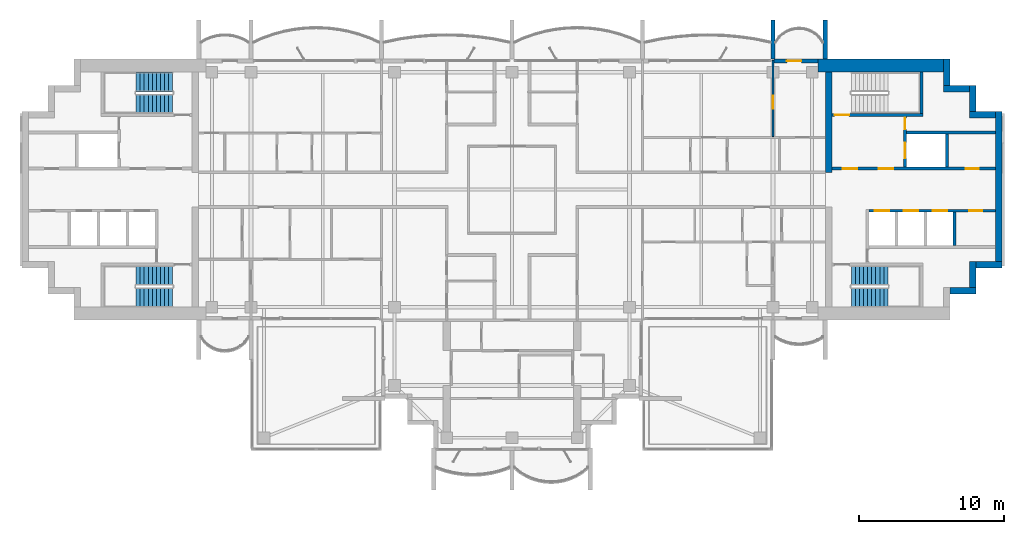
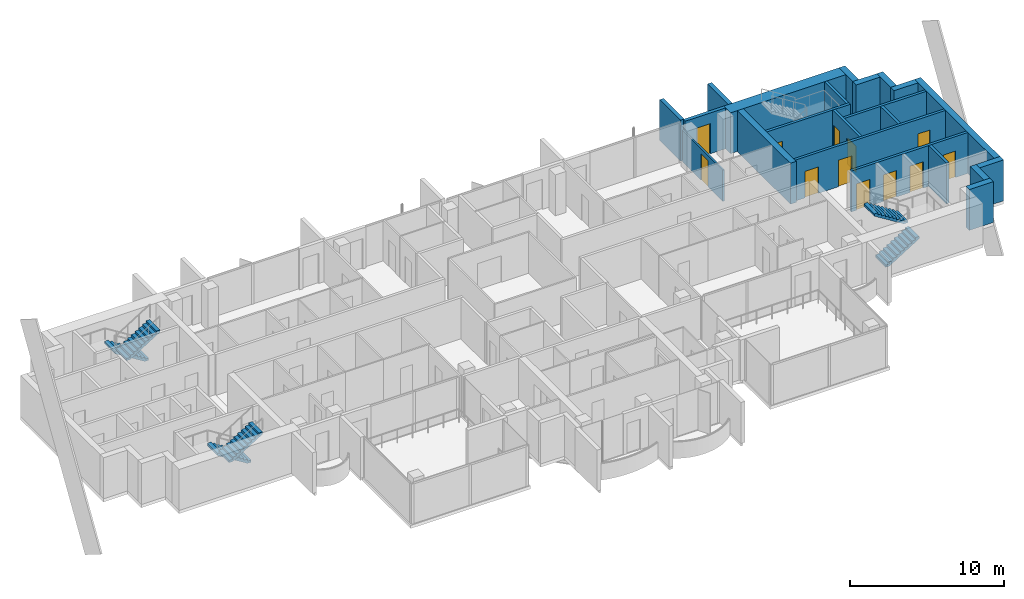
# One storey, part 11 of 16: 22 walls, 12 doors, 6 stair flights, 12 openings, 3 elements without a shape of their own.
"""IFC4 building model written with IfcOpenShell, lengths in metres."""

from ifc_helpers import new_model, si_unit, direction, frame, frame_2d, origin, place, context, subcontext, project, spatial, polyline, rectangle, outline, extrude, material, layer, layer_set, type_object, element, fill, aggregate, save


model = new_model("IFC4")

# Units and contexts
model_context = context("Model", 3, precision=1e-05, world=origin(), true_north=direction((0.0, 1.0)))
body_context = subcontext(model_context, "Body", "Model", "MODEL_VIEW")
ifc_project = project(units=[si_unit("LENGTHUNIT", "METRE"), si_unit("AREAUNIT", "SQUARE_METRE"), si_unit("VOLUMEUNIT", "CUBIC_METRE"), si_unit("PLANEANGLEUNIT", "RADIAN"), si_unit("MASSUNIT", "GRAM", prefix="KILO")], contexts=[model_context])

# Site, building, storey
site_placement = place(None, origin())
site = spatial("IfcSite", under=ifc_project, at=site_placement, CompositionType="ELEMENT")
building_placement = place(site_placement, origin())
building = spatial("IfcBuilding", under=site, at=building_placement, Name="Perihelion Cross Residences", CompositionType="ELEMENT")
storey_placement = place(building_placement, frame((0.0, 0.0, 253.5)))
storey = spatial("IfcBuildingStorey", under=building, at=storey_placement, Name="L64", CompositionType="ELEMENT", Elevation=253.5)

# Wall, opening, door
ifc_material_1 = material(Name="Concrete C30/37, bronze-clad", Category="concrete")
ifc_layer_1 = layer(ifc_material_1, 0.25)
ifc_layer_set_1 = layer_set([ifc_layer_1], Name="Bronze-clad pier wall 250")
wall_type_1 = type_object("IfcWallType", Name="Bronze-clad pier wall 250", PredefinedType="SOLIDWALL", material=ifc_layer_set_1)
wall_1_placement = place(storey_placement, frame((21.10009765625, 8.875, 0.0), z_axis=(0.0, 0.0, 1.0), x_axis=(-1.0, 0.0, 0.0)))
wall_1 = element("IfcWall", 1, at=wall_1_placement, inside=storey, type_object=wall_type_1, Name="Wall FW1 L64 east side north bay 1 pier", PredefinedType="SOLIDWALL", context=body_context, shape_type="SweptSolid", body=[
    extrude(rectangle(XDim=3.0400390625, YDim=0.25, at=frame_2d((1.52001953125, 0.0))), origin(), (0.0, 0.0, 1.0), 3.25),
])
opening_1_placement = place(wall_1_placement, frame((1.14990234375, 0.0, 0.0)))
opening_1 = element("IfcOpeningElement", 2, at=opening_1_placement, cuts=wall_1, Name="Opening L64.E01", PredefinedType="OPENING", context=body_context, shape_type="SweptSolid", body=[
    extrude(rectangle(XDim=1.0, YDim=2.39990234375, at=frame_2d((0.5, 1.199951171875))), frame((0.0, 0.135009765625, 0.0), z_axis=(0.0, -1.0, 0.0), x_axis=(1.0, 0.0, 0.0)), (0.0, 0.0, 1.0), 0.27001953125),
])
ifc_material_2 = material(Name="Bronze anodised aluminium, glazed", Category="aluminium")
door_type_1 = type_object("IfcDoorType", Name="Balcony door 1000 x 2400", OperationType="NOTDEFINED", PredefinedType="DOOR", material=ifc_material_2)
door_1_placement = place(opening_1_placement, origin())
door_1 = element("IfcDoor", 3, at=door_1_placement, inside=storey, type_object=door_type_1, Name="Door L64.E01 east side north bay 1", OperationType="SINGLE_SWING_LEFT", OverallHeight=2.39990234375, OverallWidth=1.0, PredefinedType="DOOR", context=body_context, shape_type="SweptSolid", body=[
    extrude(rectangle(XDim=1.0, YDim=2.39990234375, at=frame_2d((0.5, 1.199951171875))), frame((0.0, 0.02490234375, 0.0), z_axis=(0.0, -1.0, 0.0), x_axis=(1.0, 0.0, 0.0)), (0.0, 0.0, 1.0), 0.050048828125),
])
fill(opening_1, door_1)

# Walls
ifc_material_3 = material(Name="Concrete C60/75", Category="concrete")
ifc_layer_2 = layer(ifc_material_3, 0.449951171875)
ifc_layer_set_2 = layer_set([ifc_layer_2], Name="Core wall, inner 450")
wall_type_2 = type_object("IfcWallType", Name="Core wall, inner 450", PredefinedType="SHEAR", material=ifc_layer_set_2)
wall_2_placement = place(storey_placement, frame((21.824951171875, 1.199951171875, 0.0), z_axis=(0.0, 0.0, 1.0), x_axis=(0.0, 1.0, 0.0)))
element("IfcWall", 4, at=wall_2_placement, inside=storey, type_object=wall_type_2, Name="East core core wall, inner", PredefinedType="SHEAR", context=body_context, shape_type="SweptSolid", body=[
    extrude(rectangle(XDim=6.900146484375, YDim=0.449951171875, at=frame_2d((3.4501953125, 0.0))), origin(), (0.0, 0.0, 1.0), 3.25),
])
ifc_material_4 = material(Name="Concrete C60/75", Category="concrete")
ifc_layer_3 = layer(ifc_material_4, 0.449951171875)
ifc_layer_set_3 = layer_set([ifc_layer_3], Name="Core wall, outer 450")
wall_type_3 = type_object("IfcWallType", Name="Core wall, outer 450", PredefinedType="SHEAR", material=ifc_layer_set_3)
for number, where, z_axis, x_axis, name in (
    (5, (30.199951171875, -6.97509765625, 0.0), (0.0, 0.0, 1.0), (1.0, 0.0, 0.0), "East core core wall, outer"),
    (6, (31.77490234375, -6.75, 0.0), (0.0, 0.0, 1.0), (0.0, 1.0, 0.0), "East core core wall, outer"),
    (7, (32.0, -5.175048828125, 0.0), (0.0, 0.0, 1.0), (1.0, 0.0, 0.0), "East core core wall, outer"),
):
    element("IfcWall", number, at=place(storey_placement, frame(where, z_axis=z_axis, x_axis=x_axis)), inside=storey, type_object=wall_type_3, Name=name, PredefinedType="SHEAR", context=body_context, shape_type="SweptSolid", body=[
        extrude(rectangle(XDim=1.800048828125, YDim=0.449951171875, at=frame_2d((0.89990234375, 0.0))), origin(), (0.0, 0.0, 1.0), 3.25),
    ])
wall_3_placement = place(storey_placement, frame((33.574951171875, -4.949951171875, 0.0), z_axis=(0.0, 0.0, 1.0), x_axis=(0.0, 1.0, 0.0)))
element("IfcWall", 8, at=wall_3_placement, inside=storey, type_object=wall_type_3, Name="East core core wall, outer", PredefinedType="SHEAR", context=body_context, shape_type="SweptSolid", body=[
    extrude(rectangle(XDim=10.349853515625, YDim=0.449951171875, at=frame_2d((5.1748046875, 0.0))), origin(), (0.0, 0.0, 1.0), 3.25),
])
for number, where, z_axis, x_axis, name in (
    (9, (31.550048828125, 5.175048828125, 0.0), (0.0, 0.0, 1.0), (1.0, 0.0, 0.0), "East core core wall, outer"),
    (10, (31.77490234375, 5.39990234375, 0.0), (0.0, 0.0, 1.0), (0.0, 1.0, 0.0), "East core core wall, outer"),
    (11, (29.75, 6.97509765625, 0.0), (0.0, 0.0, 1.0), (1.0, 0.0, 0.0), "East core core wall, outer"),
    (12, (29.97509765625, 7.199951171875, 0.0), (0.0, 0.0, 1.0), (0.0, 1.0, 0.0), "East core core wall, outer"),
):
    element("IfcWall", number, at=place(storey_placement, frame(where, z_axis=z_axis, x_axis=x_axis)), inside=storey, type_object=wall_type_3, Name=name, PredefinedType="SHEAR", context=body_context, shape_type="SweptSolid", body=[
        extrude(rectangle(XDim=1.800048828125, YDim=0.449951171875, at=frame_2d((0.89990234375, 0.0))), origin(), (0.0, 0.0, 1.0), 3.25),
    ])
ifc_material_5 = material(Name="Concrete C60/75", Category="concrete")
ifc_layer_4 = layer(ifc_material_5, 0.89990234375)
ifc_layer_set_4 = layer_set([ifc_layer_4], Name="Core wall, outer 900")
wall_type_4 = type_object("IfcWallType", Name="Core wall, outer 900", PredefinedType="SHEAR", material=ifc_layer_set_4)
wall_4_placement = place(storey_placement, frame((21.10009765625, 8.550048828125, 0.0), z_axis=(0.0, 0.0, 1.0), x_axis=(1.0, 0.0, 0.0)))
element("IfcWall", 13, at=wall_4_placement, inside=storey, type_object=wall_type_4, Name="East core core wall, outer", PredefinedType="SHEAR", context=body_context, shape_type="SweptSolid", body=[
    extrude(rectangle(XDim=8.64990234375, YDim=0.89990234375, at=frame_2d((4.324951171875, 0.0))), origin(), (0.0, 0.0, 1.0), 3.25),
])

# Wall, opening, door
ifc_material_6 = material(Name="Plasterboard partition")
ifc_layer_5 = layer(ifc_material_6, 0.1201171875)
ifc_layer_set_5 = layer_set([ifc_layer_5], Name="Partition wall 120")
wall_type_5 = type_object("IfcWallType", Name="Partition wall 120", PredefinedType="PARTITIONING", material=ifc_layer_set_5)
wall_5_placement = place(storey_placement, frame((18.0, 8.919921875, 0.0), z_axis=(0.0, 0.0, 1.0), x_axis=(0.0, -1.0, 0.0)))
wall_5 = element("IfcWall", 14, at=wall_5_placement, inside=storey, type_object=wall_type_5, Name="Partition L64 W028", PredefinedType="PARTITIONING", context=body_context, shape_type="SweptSolid", body=[
    extrude(rectangle(XDim=5.260009765625, YDim=0.1201171875, at=frame_2d((2.6298828125, 0.0))), origin(), (0.0, 0.0, 1.0), 2.49609375),
])
opening_2_placement = place(wall_5_placement, frame((2.43994140625, 0.0, 0.0)))
opening_2 = element("IfcOpeningElement", 15, at=opening_2_placement, cuts=wall_5, Name="Opening L64.A08", PredefinedType="OPENING", context=body_context, shape_type="SweptSolid", body=[
    extrude(rectangle(XDim=0.89990234375, YDim=2.10009765625, at=frame_2d((0.449951171875, 1.050048828125))), frame((0.0, 0.070068359375, 0.0), z_axis=(0.0, -1.0, 0.0), x_axis=(1.0, 0.0, 0.0)), (0.0, 0.0, 1.0), 0.14013671875),
])
ifc_material_7 = material(Name="Timber door leaf", Category="wood")
door_type_2 = type_object("IfcDoorType", Name="Interior room door 900 x 2100", OperationType="SINGLE_SWING_LEFT", PredefinedType="DOOR", material=ifc_material_7)
door_2_placement = place(opening_2_placement, origin())
door_2 = element("IfcDoor", 16, at=door_2_placement, inside=storey, type_object=door_type_2, Name="Door L64.A08", OperationType="SINGLE_SWING_LEFT", OverallHeight=2.10009765625, OverallWidth=0.89990234375, PredefinedType="DOOR", context=body_context, shape_type="SweptSolid", body=[
    extrude(rectangle(XDim=0.89990234375, YDim=2.10009765625, at=frame_2d((0.449951171875, 1.050048828125))), frame((0.0, 0.02490234375, 0.0), z_axis=(0.0, -1.0, 0.0), x_axis=(1.0, 0.0, 0.0)), (0.0, 0.0, 1.0), 0.050048828125),
])
fill(opening_2, door_2)

# Walls
ifc_material_8 = material(Name="Precast concrete C50/60", Category="concrete")
ifc_layer_6 = layer(ifc_material_8, 0.300048828125)
ifc_layer_set_6 = layer_set([ifc_layer_6], Name="Precast concrete C50/60 blade wall 300")
wall_type_6 = type_object("IfcWallType", Name="Precast concrete C50/60 blade wall 300", PredefinedType="SOLIDWALL", material=ifc_layer_set_6)
for number, where, z_axis, x_axis, name in (
    (17, (18.0, 9.0, 0.0), (0.0, 0.0, 1.0), (0.0, 1.0, 0.0), "Wall BL1 L64 no. 11"),
    (18, (21.60009765625, 9.0, 0.0), (0.0, 0.0, 1.0), (0.0, 1.0, 0.0), "Wall BL1 L64 no. 13"),
):
    element("IfcWall", number, at=place(storey_placement, frame(where, z_axis=z_axis, x_axis=x_axis)), inside=storey, type_object=wall_type_6, Name=name, PredefinedType="SOLIDWALL", context=body_context, shape_type="SweptSolid", body=[
        extrude(rectangle(XDim=2.699951171875, YDim=0.300048828125, at=frame_2d((1.35009765625, 0.0))), origin(), (0.0, 0.0, 1.0), 3.25),
    ])

# Wall, openings, doors
ifc_material_9 = material(Name="Concrete C50/60", Category="concrete")
ifc_layer_7 = layer(ifc_material_9, 0.199951171875)
ifc_layer_set_7 = layer_set([ifc_layer_7], Name="Shaft wall 200")
wall_type_7 = type_object("IfcWallType", Name="Shaft wall 200", PredefinedType="SOLIDWALL", material=ifc_layer_set_7)
wall_6_placement = place(storey_placement, frame((22.050048828125, 1.449951171875, 0.0), z_axis=(0.0, 0.0, 1.0), x_axis=(1.0, 0.0, 0.0)))
wall_6 = element("IfcWall", 19, at=wall_6_placement, inside=storey, type_object=wall_type_7, Name="East core shaft wall", PredefinedType="SOLIDWALL", context=body_context, shape_type="SweptSolid", body=[
    extrude(rectangle(XDim=11.300048828125, YDim=0.199951171875, at=frame_2d((5.64990234375, 0.0))), origin(), (0.0, 0.0, 1.0), 3.25),
])
opening_3_placement = place(wall_6_placement, frame((0.75, 0.0, 0.0)))
opening_3 = element("IfcOpeningElement", 20, at=opening_3_placement, cuts=wall_6, Name="Opening L64.C07", PredefinedType="OPENING", context=body_context, shape_type="SweptSolid", body=[
    extrude(rectangle(XDim=1.0, YDim=2.10009765625, at=frame_2d((0.5, 1.050048828125))), frame((0.0, 0.10986328125, 0.0), z_axis=(0.0, -1.0, 0.0), x_axis=(1.0, 0.0, 0.0)), (0.0, 0.0, 1.0), 0.219970703125),
])
opening_4_placement = place(wall_6_placement, frame((3.25, 0.0, 0.0)))
opening_4 = element("IfcOpeningElement", 21, at=opening_4_placement, cuts=wall_6, Name="Opening L64.C09", PredefinedType="OPENING", context=body_context, shape_type="SweptSolid", body=[
    extrude(rectangle(XDim=1.0, YDim=2.10009765625, at=frame_2d((0.5, 1.050048828125))), frame((0.0, 0.10986328125, 0.0), z_axis=(0.0, -1.0, 0.0), x_axis=(1.0, 0.0, 0.0)), (0.0, 0.0, 1.0), 0.219970703125),
])
opening_5_placement = place(wall_6_placement, frame((9.22509765625, 0.0, 0.0)))
opening_5 = element("IfcOpeningElement", 22, at=opening_5_placement, cuts=wall_6, Name="Opening L64.C11", PredefinedType="OPENING", context=body_context, shape_type="SweptSolid", body=[
    extrude(rectangle(XDim=0.89990234375, YDim=2.10009765625, at=frame_2d((0.449951171875, 1.050048828125))), frame((0.0, 0.10986328125, 0.0), z_axis=(0.0, -1.0, 0.0), x_axis=(1.0, 0.0, 0.0)), (0.0, 0.0, 1.0), 0.219970703125),
])
ifc_material_10 = material(Name="Steel, powder coated", Category="steel")
door_type_3 = type_object("IfcDoorType", Name="Lobby door 1000", OperationType="SINGLE_SWING_LEFT", PredefinedType="DOOR", material=ifc_material_10)
door_3_placement = place(opening_3_placement, origin())
door_3 = element("IfcDoor", 23, at=door_3_placement, inside=storey, type_object=door_type_3, Name="East core firefighting lobby door", OperationType="SINGLE_SWING_LEFT", OverallHeight=2.10009765625, OverallWidth=1.0, PredefinedType="DOOR", context=body_context, shape_type="SweptSolid", body=[
    extrude(rectangle(XDim=1.0, YDim=2.10009765625, at=frame_2d((0.5, 1.050048828125))), frame((0.0, 0.02490234375, 0.0), z_axis=(0.0, -1.0, 0.0), x_axis=(1.0, 0.0, 0.0)), (0.0, 0.0, 1.0), 0.050048828125),
])
fill(opening_3, door_3)
door_4_placement = place(opening_4_placement, origin())
door_4 = element("IfcDoor", 24, at=door_4_placement, inside=storey, type_object=door_type_3, Name="East core firefighting lobby door", OperationType="SINGLE_SWING_LEFT", OverallHeight=2.10009765625, OverallWidth=1.0, PredefinedType="DOOR", context=body_context, shape_type="SweptSolid", body=[
    extrude(rectangle(XDim=1.0, YDim=2.10009765625, at=frame_2d((0.5, 1.050048828125))), frame((0.0, 0.02490234375, 0.0), z_axis=(0.0, -1.0, 0.0), x_axis=(1.0, 0.0, 0.0)), (0.0, 0.0, 1.0), 0.050048828125),
])
fill(opening_4, door_4)
ifc_material_11 = material(Name="Steel, powder coated", Category="steel")
door_type_4 = type_object("IfcDoorType", Name="Service room door 900", OperationType="SINGLE_SWING_LEFT", PredefinedType="DOOR", material=ifc_material_11)
door_5_placement = place(opening_5_placement, origin())
door_5 = element("IfcDoor", 25, at=door_5_placement, inside=storey, type_object=door_type_4, Name="East core service room door", OperationType="SINGLE_SWING_LEFT", OverallHeight=2.10009765625, OverallWidth=0.89990234375, PredefinedType="DOOR", context=body_context, shape_type="SweptSolid", body=[
    extrude(rectangle(XDim=0.89990234375, YDim=2.10009765625, at=frame_2d((0.449951171875, 1.050048828125))), frame((0.0, 0.02490234375, 0.0), z_axis=(0.0, -1.0, 0.0), x_axis=(1.0, 0.0, 0.0)), (0.0, 0.0, 1.0), 0.050048828125),
])
fill(opening_5, door_5)

wall_7_placement = place(storey_placement, frame((24.60009765625, -1.449951171875, 0.0), z_axis=(0.0, 0.0, 1.0), x_axis=(1.0, 0.0, 0.0)))
wall_7 = element("IfcWall", 26, at=wall_7_placement, inside=storey, type_object=wall_type_7, Name="East core shaft wall", PredefinedType="SOLIDWALL", context=body_context, shape_type="SweptSolid", body=[
    extrude(rectangle(XDim=8.75, YDim=0.199951171875, at=frame_2d((4.375, 0.0))), origin(), (0.0, 0.0, 1.0), 3.25),
])
opening_6_placement = place(wall_7_placement, frame((0.39990234375, 0.0, 0.0)))
opening_6 = element("IfcOpeningElement", 27, at=opening_6_placement, cuts=wall_7, Name="Opening L64.C01", PredefinedType="OPENING", context=body_context, shape_type="SweptSolid", body=[
    extrude(rectangle(XDim=1.0, YDim=2.10009765625, at=frame_2d((0.5, 1.050048828125))), frame((0.0, 0.10986328125, 0.0), z_axis=(0.0, -1.0, 0.0), x_axis=(1.0, 0.0, 0.0)), (0.0, 0.0, 1.0), 0.219970703125),
])
opening_7_placement = place(wall_7_placement, frame((2.39990234375, 0.0, 0.0)))
opening_7 = element("IfcOpeningElement", 28, at=opening_7_placement, cuts=wall_7, Name="Opening L64.C03", PredefinedType="OPENING", context=body_context, shape_type="SweptSolid", body=[
    extrude(rectangle(XDim=1.0, YDim=2.10009765625, at=frame_2d((0.5, 1.050048828125))), frame((0.0, 0.10986328125, 0.0), z_axis=(0.0, -1.0, 0.0), x_axis=(1.0, 0.0, 0.0)), (0.0, 0.0, 1.0), 0.219970703125),
])
opening_8_placement = place(wall_7_placement, frame((4.39990234375, 0.0, 0.0)))
opening_8 = element("IfcOpeningElement", 29, at=opening_8_placement, cuts=wall_7, Name="Opening L64.C04", PredefinedType="OPENING", context=body_context, shape_type="SweptSolid", body=[
    extrude(rectangle(XDim=1.0, YDim=2.10009765625, at=frame_2d((0.5, 1.050048828125))), frame((0.0, 0.10986328125, 0.0), z_axis=(0.0, -1.0, 0.0), x_axis=(1.0, 0.0, 0.0)), (0.0, 0.0, 1.0), 0.219970703125),
])
opening_9_placement = place(wall_7_placement, frame((6.925048828125, 0.0, 0.0)))
opening_9 = element("IfcOpeningElement", 30, at=opening_9_placement, cuts=wall_7, Name="Opening L64.C12", PredefinedType="OPENING", context=body_context, shape_type="SweptSolid", body=[
    extrude(rectangle(XDim=0.89990234375, YDim=2.10009765625, at=frame_2d((0.449951171875, 1.050048828125))), frame((0.0, 0.10986328125, 0.0), z_axis=(0.0, -1.0, 0.0), x_axis=(1.0, 0.0, 0.0)), (0.0, 0.0, 1.0), 0.219970703125),
])
ifc_material_12 = material(Name="Stainless steel", Category="steel")
door_type_5 = type_object("IfcDoorType", Name="Landing door 1000", OperationType="DOUBLE_DOOR_SLIDING", PredefinedType="DOOR", material=ifc_material_12)
door_6_placement = place(opening_6_placement, origin())
door_6 = element("IfcDoor", 31, at=door_6_placement, inside=storey, type_object=door_type_5, Name="Landing door, East core high-rise lift 1", OperationType="DOUBLE_DOOR_SLIDING", OverallHeight=2.10009765625, OverallWidth=1.0, PredefinedType="DOOR", context=body_context, shape_type="SweptSolid", body=[
    extrude(rectangle(XDim=1.0, YDim=2.10009765625, at=frame_2d((0.5, 1.050048828125))), frame((0.0, 0.02490234375, 0.0), z_axis=(0.0, -1.0, 0.0), x_axis=(1.0, 0.0, 0.0)), (0.0, 0.0, 1.0), 0.050048828125),
])
fill(opening_6, door_6)
door_7_placement = place(opening_7_placement, origin())
door_7 = element("IfcDoor", 32, at=door_7_placement, inside=storey, type_object=door_type_5, Name="Landing door, East core high-rise lift 2", OperationType="DOUBLE_DOOR_SLIDING", OverallHeight=2.10009765625, OverallWidth=1.0, PredefinedType="DOOR", context=body_context, shape_type="SweptSolid", body=[
    extrude(rectangle(XDim=1.0, YDim=2.10009765625, at=frame_2d((0.5, 1.050048828125))), frame((0.0, 0.02490234375, 0.0), z_axis=(0.0, -1.0, 0.0), x_axis=(1.0, 0.0, 0.0)), (0.0, 0.0, 1.0), 0.050048828125),
])
fill(opening_7, door_7)
door_8_placement = place(opening_8_placement, origin())
door_8 = element("IfcDoor", 33, at=door_8_placement, inside=storey, type_object=door_type_5, Name="Landing door, East core high-rise lift 3", OperationType="DOUBLE_DOOR_SLIDING", OverallHeight=2.10009765625, OverallWidth=1.0, PredefinedType="DOOR", context=body_context, shape_type="SweptSolid", body=[
    extrude(rectangle(XDim=1.0, YDim=2.10009765625, at=frame_2d((0.5, 1.050048828125))), frame((0.0, 0.02490234375, 0.0), z_axis=(0.0, -1.0, 0.0), x_axis=(1.0, 0.0, 0.0)), (0.0, 0.0, 1.0), 0.050048828125),
])
fill(opening_8, door_8)
door_9_placement = place(opening_9_placement, origin())
door_9 = element("IfcDoor", 34, at=door_9_placement, inside=storey, type_object=door_type_4, Name="East core service room door", OperationType="SINGLE_SWING_LEFT", OverallHeight=2.10009765625, OverallWidth=0.89990234375, PredefinedType="DOOR", context=body_context, shape_type="SweptSolid", body=[
    extrude(rectangle(XDim=0.89990234375, YDim=2.10009765625, at=frame_2d((0.449951171875, 1.050048828125))), frame((0.0, 0.02490234375, 0.0), z_axis=(0.0, -1.0, 0.0), x_axis=(1.0, 0.0, 0.0)), (0.0, 0.0, 1.0), 0.050048828125),
])
fill(opening_9, door_9)

# Wall
wall_8_placement = place(storey_placement, frame((27.199951171875, 3.949951171875, 0.0), z_axis=(0.0, 0.0, 1.0), x_axis=(1.0, 0.0, 0.0)))
element("IfcWall", 35, at=wall_8_placement, inside=storey, type_object=wall_type_7, Name="East core shaft wall", PredefinedType="SOLIDWALL", context=body_context, shape_type="SweptSolid", body=[
    extrude(rectangle(XDim=6.150146484375, YDim=0.199951171875, at=frame_2d((3.0751953125, 0.0))), origin(), (0.0, 0.0, 1.0), 3.25),
])

# Wall, openings, doors
wall_9_placement = place(storey_placement, frame((27.10009765625, 1.550048828125, 0.0), z_axis=(0.0, 0.0, 1.0), x_axis=(0.0, 1.0, 0.0)))
wall_9 = element("IfcWall", 36, at=wall_9_placement, inside=storey, type_object=wall_type_7, Name="East core shaft wall", PredefinedType="SOLIDWALL", context=body_context, shape_type="SweptSolid", body=[
    extrude(rectangle(XDim=3.5, YDim=0.199951171875, at=frame_2d((1.75, 0.0))), origin(), (0.0, 0.0, 1.0), 3.25),
])
opening_10_placement = place(wall_9_placement, frame((0.60009765625, 0.0, 0.0)))
opening_10 = element("IfcOpeningElement", 37, at=opening_10_placement, cuts=wall_9, Name="Opening L64.C02", PredefinedType="OPENING", context=body_context, shape_type="SweptSolid", body=[
    extrude(rectangle(XDim=1.10009765625, YDim=2.10009765625, at=frame_2d((0.550048828125, 1.050048828125))), frame((0.0, 0.10986328125, 0.0), z_axis=(0.0, -1.0, 0.0), x_axis=(1.0, 0.0, 0.0)), (0.0, 0.0, 1.0), 0.219970703125),
])
opening_11_placement = place(wall_9_placement, frame((2.60009765625, 0.0, 0.0)))
opening_11 = element("IfcOpeningElement", 38, at=opening_11_placement, cuts=wall_9, Name="Opening L64.C10", PredefinedType="OPENING", context=body_context, shape_type="SweptSolid", body=[
    extrude(rectangle(XDim=0.800048828125, YDim=2.10009765625, at=frame_2d((0.39990234375, 1.050048828125))), frame((0.0, 0.10986328125, 0.0), z_axis=(0.0, -1.0, 0.0), x_axis=(1.0, 0.0, 0.0)), (0.0, 0.0, 1.0), 0.219970703125),
])
ifc_material_13 = material(Name="Stainless steel", Category="steel")
door_type_6 = type_object("IfcDoorType", Name="Landing door, firefighting lift 1100", OperationType="DOUBLE_DOOR_SLIDING", PredefinedType="DOOR", material=ifc_material_13)
door_10_placement = place(opening_10_placement, origin())
door_10 = element("IfcDoor", 39, at=door_10_placement, inside=storey, type_object=door_type_6, Name="Landing door, East core firefighting and service lift", OperationType="DOUBLE_DOOR_SLIDING", OverallHeight=2.10009765625, OverallWidth=1.10009765625, PredefinedType="DOOR", context=body_context, shape_type="SweptSolid", body=[
    extrude(rectangle(XDim=1.10009765625, YDim=2.10009765625, at=frame_2d((0.550048828125, 1.050048828125))), frame((0.0, 0.02490234375, 0.0), z_axis=(0.0, -1.0, 0.0), x_axis=(1.0, 0.0, 0.0)), (0.0, 0.0, 1.0), 0.050048828125),
])
fill(opening_10, door_10)
ifc_material_14 = material(Name="Steel, powder coated", Category="steel")
door_type_7 = type_object("IfcDoorType", Name="Riser door 800", OperationType="SINGLE_SWING_LEFT", PredefinedType="DOOR", material=ifc_material_14)
door_11_placement = place(opening_11_placement, origin())
door_11 = element("IfcDoor", 40, at=door_11_placement, inside=storey, type_object=door_type_7, Name="East core riser door", OperationType="SINGLE_SWING_LEFT", OverallHeight=2.10009765625, OverallWidth=0.800048828125, PredefinedType="DOOR", context=body_context, shape_type="SweptSolid", body=[
    extrude(rectangle(XDim=0.800048828125, YDim=2.10009765625, at=frame_2d((0.39990234375, 1.050048828125))), frame((0.0, 0.02490234375, 0.0), z_axis=(0.0, -1.0, 0.0), x_axis=(1.0, 0.0, 0.0)), (0.0, 0.0, 1.0), 0.050048828125),
])
fill(opening_11, door_11)

# Walls
for number, where, z_axis, x_axis, name in (
    (41, (30.0, 1.550048828125, 0.0), (0.0, 0.0, 1.0), (0.0, 1.0, 0.0), "East core shaft wall"),
    (42, (30.5, -3.85009765625, 0.0), (0.0, 0.0, 1.0), (0.0, 1.0, 0.0), "East core shaft wall"),
):
    element("IfcWall", number, at=place(storey_placement, frame(where, z_axis=z_axis, x_axis=x_axis)), inside=storey, type_object=wall_type_7, Name=name, PredefinedType="SOLIDWALL", context=body_context, shape_type="SweptSolid", body=[
        extrude(rectangle(XDim=2.300048828125, YDim=0.199951171875, at=frame_2d((1.14990234375, 0.0))), origin(), (0.0, 0.0, 1.0), 3.25),
    ])

# Wall, opening, door
ifc_material_15 = material(Name="Concrete C50/60", Category="concrete")
ifc_layer_8 = layer(ifc_material_15, 0.199951171875)
ifc_layer_set_8 = layer_set([ifc_layer_8], Name="Stair wall 200")
wall_type_8 = type_object("IfcWallType", Name="Stair wall 200", PredefinedType="SOLIDWALL", material=ifc_layer_set_8)
wall_10_placement = place(storey_placement, frame((22.050048828125, 5.14990234375, 0.0), z_axis=(0.0, 0.0, 1.0), x_axis=(1.0, 0.0, 0.0)))
wall_10 = element("IfcWall", 43, at=wall_10_placement, inside=storey, type_object=wall_type_8, Name="East core stair wall", PredefinedType="SOLIDWALL", context=body_context, shape_type="SweptSolid", body=[
    extrude(rectangle(XDim=6.300048828125, YDim=0.199951171875, at=frame_2d((3.14990234375, 0.0))), origin(), (0.0, 0.0, 1.0), 3.25),
])
opening_12_placement = place(wall_10_placement, frame((0.199951171875, 0.0, 0.0)))
opening_12 = element("IfcOpeningElement", 44, at=opening_12_placement, cuts=wall_10, Name="Opening L64.C06", PredefinedType="OPENING", context=body_context, shape_type="SweptSolid", body=[
    extrude(rectangle(XDim=1.0, YDim=2.10009765625, at=frame_2d((0.5, 1.050048828125))), frame((0.0, 0.10986328125, 0.0), z_axis=(0.0, -1.0, 0.0), x_axis=(1.0, 0.0, 0.0)), (0.0, 0.0, 1.0), 0.219970703125),
])
ifc_material_16 = material(Name="Steel, powder coated", Category="steel")
door_type_8 = type_object("IfcDoorType", Name="Stair door 1000", OperationType="SINGLE_SWING_LEFT", PredefinedType="DOOR", material=ifc_material_16)
door_12_placement = place(opening_12_placement, origin())
door_12 = element("IfcDoor", 45, at=door_12_placement, inside=storey, type_object=door_type_8, Name="East core stair door", OperationType="SINGLE_SWING_LEFT", OverallHeight=2.10009765625, OverallWidth=1.0, PredefinedType="DOOR", context=body_context, shape_type="SweptSolid", body=[
    extrude(rectangle(XDim=1.0, YDim=2.10009765625, at=frame_2d((0.5, 1.050048828125))), frame((0.0, 0.02490234375, 0.0), z_axis=(0.0, -1.0, 0.0), x_axis=(1.0, 0.0, 0.0)), (0.0, 0.0, 1.0), 0.050048828125),
])
fill(opening_12, door_12)

# Wall
wall_11_placement = place(storey_placement, frame((28.25, 5.25, 0.0), z_axis=(0.0, 0.0, 1.0), x_axis=(0.0, 1.0, 0.0)))
element("IfcWall", 46, at=wall_11_placement, inside=storey, type_object=wall_type_8, Name="East core stair wall", PredefinedType="SOLIDWALL", context=body_context, shape_type="SweptSolid", body=[
    extrude(rectangle(XDim=2.85009765625, YDim=0.199951171875, at=frame_2d((1.425048828125, 0.0))), origin(), (0.0, 0.0, 1.0), 3.25),
])

# Stair, stair flights
ifc_material_17 = material(Name="Concrete C40/50", Category="concrete")
stair_type = type_object("IfcStairType", Name="Exit stair, half-turn", PredefinedType="HALF_TURN_STAIR", material=ifc_material_17)
stair_1_placement = place(storey_placement, origin())
stair_1 = element("IfcStair", 47, at=stair_1_placement, inside=storey, type_object=stair_type, Name="L64 East core exit stair 2", PredefinedType="HALF_TURN_STAIR")
ifc_material_18 = material(Name="Concrete C40/50", Category="concrete")
stair_flight_type = type_object("IfcStairFlightType", Name="Exit stair flight", PredefinedType="STRAIGHT", material=ifc_material_18)
stair_flight_1_placement = place(storey_placement, frame((23.39990234375, -7.425048828125, 0.0), z_axis=(0.0, 0.0, 1.0), x_axis=(1.0, 0.0, 0.0)))
stair_flight_1 = element("IfcStairFlight", 48, at=stair_flight_1_placement, type_object=stair_flight_type, Name="ST-E2 flight 1", NumberOfRisers=10, NumberOfTreads=9, PredefinedType="STRAIGHT", RiserHeight=0.175, TreadLength=0.28, context=body_context, shape_type="SweptSolid", body=[
    extrude(outline(polyline([(0.0, 0.0), (0.0, 0.175048828125), (0.280029296875, 0.175048828125), (0.280029296875, 0.35009765625), (0.56005859375, 0.35009765625), (0.56005859375, 0.52490234375), (0.840087890625, 0.52490234375), (0.840087890625, 0.699951171875), (1.1201171875, 0.699951171875), (1.1201171875, 0.875), (1.39990234375, 0.875), (1.39990234375, 1.050048828125), (1.679931640625, 1.050048828125), (1.679931640625, 1.22509765625), (1.9599609375, 1.22509765625), (1.9599609375, 1.39990234375), (2.239990234375, 1.39990234375), (2.239990234375, 1.574951171875), (2.52001953125, 1.574951171875), (2.52001953125, 1.75), (2.52001953125, 1.398193359375), (0.28271484375, 0.0), (0.0, 0.0)])), frame((0.0, 0.675048828125, 0.0), z_axis=(0.0, -1.0, 0.0), x_axis=(1.0, 0.0, 0.0)), (0.0, 0.0, 1.0), 1.35009765625),
])
stair_flight_2_placement = place(storey_placement, frame((25.919921875, -5.925048828125, 1.75), z_axis=(0.0, 0.0, 1.0), x_axis=(-1.0, 0.0, 0.0)))
stair_flight_2 = element("IfcStairFlight", 49, at=stair_flight_2_placement, type_object=stair_flight_type, Name="ST-E2 flight 2", NumberOfRisers=10, NumberOfTreads=9, PredefinedType="STRAIGHT", RiserHeight=0.175, TreadLength=0.28, context=body_context, shape_type="SweptSolid", body=[
    extrude(outline(polyline([(0.0, 0.0), (0.0, 0.175048828125), (0.280029296875, 0.175048828125), (0.280029296875, 0.35009765625), (0.56005859375, 0.35009765625), (0.56005859375, 0.52490234375), (0.840087890625, 0.52490234375), (0.840087890625, 0.699951171875), (1.1201171875, 0.699951171875), (1.1201171875, 0.875), (1.39990234375, 0.875), (1.39990234375, 1.050048828125), (1.679931640625, 1.050048828125), (1.679931640625, 1.22509765625), (1.9599609375, 1.22509765625), (1.9599609375, 1.39990234375), (2.239990234375, 1.39990234375), (2.239990234375, 1.574951171875), (2.52001953125, 1.574951171875), (2.52001953125, 1.75), (2.52001953125, 1.398193359375), (0.28271484375, 0.0), (0.0, 0.0)])), frame((0.0, 0.675048828125, 0.0), z_axis=(0.0, -1.0, 0.0), x_axis=(1.0, 0.0, 0.0)), (0.0, 0.0, 1.0), 1.35009765625),
])
aggregate(stair_1, [stair_flight_1, stair_flight_2])

stair_2_placement = place(storey_placement, origin())
stair_2 = element("IfcStair", 50, at=stair_2_placement, inside=storey, type_object=stair_type, Name="L64 West core exit stair 1", PredefinedType="HALF_TURN_STAIR")
stair_flight_3_placement = place(storey_placement, frame((-23.39990234375, 7.425048828125, 0.0), z_axis=(0.0, 0.0, 1.0), x_axis=(-1.0, 0.0, 0.0)))
stair_flight_3 = element("IfcStairFlight", 51, at=stair_flight_3_placement, type_object=stair_flight_type, Name="ST-W1 flight 1", NumberOfRisers=10, NumberOfTreads=9, PredefinedType="STRAIGHT", RiserHeight=0.175, TreadLength=0.28, context=body_context, shape_type="SweptSolid", body=[
    extrude(outline(polyline([(0.0, 0.0), (0.0, 0.175048828125), (0.280029296875, 0.175048828125), (0.280029296875, 0.35009765625), (0.56005859375, 0.35009765625), (0.56005859375, 0.52490234375), (0.840087890625, 0.52490234375), (0.840087890625, 0.699951171875), (1.1201171875, 0.699951171875), (1.1201171875, 0.875), (1.39990234375, 0.875), (1.39990234375, 1.050048828125), (1.679931640625, 1.050048828125), (1.679931640625, 1.22509765625), (1.9599609375, 1.22509765625), (1.9599609375, 1.39990234375), (2.239990234375, 1.39990234375), (2.239990234375, 1.574951171875), (2.52001953125, 1.574951171875), (2.52001953125, 1.75), (2.52001953125, 1.398193359375), (0.28271484375, 0.0), (0.0, 0.0)])), frame((0.0, 0.675048828125, 0.0), z_axis=(0.0, -1.0, 0.0), x_axis=(1.0, 0.0, 0.0)), (0.0, 0.0, 1.0), 1.35009765625),
])
stair_flight_4_placement = place(storey_placement, frame((-25.919921875, 5.925048828125, 1.75), z_axis=(0.0, 0.0, 1.0), x_axis=(1.0, 0.0, 0.0)))
stair_flight_4 = element("IfcStairFlight", 52, at=stair_flight_4_placement, type_object=stair_flight_type, Name="ST-W1 flight 2", NumberOfRisers=10, NumberOfTreads=9, PredefinedType="STRAIGHT", RiserHeight=0.175, TreadLength=0.28, context=body_context, shape_type="SweptSolid", body=[
    extrude(outline(polyline([(0.0, 0.0), (0.0, 0.175048828125), (0.280029296875, 0.175048828125), (0.280029296875, 0.35009765625), (0.56005859375, 0.35009765625), (0.56005859375, 0.52490234375), (0.840087890625, 0.52490234375), (0.840087890625, 0.699951171875), (1.1201171875, 0.699951171875), (1.1201171875, 0.875), (1.39990234375, 0.875), (1.39990234375, 1.050048828125), (1.679931640625, 1.050048828125), (1.679931640625, 1.22509765625), (1.9599609375, 1.22509765625), (1.9599609375, 1.39990234375), (2.239990234375, 1.39990234375), (2.239990234375, 1.574951171875), (2.52001953125, 1.574951171875), (2.52001953125, 1.75), (2.52001953125, 1.398193359375), (0.28271484375, 0.0), (0.0, 0.0)])), frame((0.0, 0.675048828125, 0.0), z_axis=(0.0, -1.0, 0.0), x_axis=(1.0, 0.0, 0.0)), (0.0, 0.0, 1.0), 1.35009765625),
])
aggregate(stair_2, [stair_flight_3, stair_flight_4])

stair_3_placement = place(storey_placement, origin())
stair_3 = element("IfcStair", 53, at=stair_3_placement, inside=storey, type_object=stair_type, Name="L64 West core exit stair 2", PredefinedType="HALF_TURN_STAIR")
stair_flight_5_placement = place(storey_placement, frame((-23.39990234375, -5.925048828125, 0.0), z_axis=(0.0, 0.0, 1.0), x_axis=(-1.0, 0.0, 0.0)))
stair_flight_5 = element("IfcStairFlight", 54, at=stair_flight_5_placement, type_object=stair_flight_type, Name="ST-W2 flight 1", NumberOfRisers=10, NumberOfTreads=9, PredefinedType="STRAIGHT", RiserHeight=0.175, TreadLength=0.28, context=body_context, shape_type="SweptSolid", body=[
    extrude(outline(polyline([(0.0, 0.0), (0.0, 0.175048828125), (0.280029296875, 0.175048828125), (0.280029296875, 0.35009765625), (0.56005859375, 0.35009765625), (0.56005859375, 0.52490234375), (0.840087890625, 0.52490234375), (0.840087890625, 0.699951171875), (1.1201171875, 0.699951171875), (1.1201171875, 0.875), (1.39990234375, 0.875), (1.39990234375, 1.050048828125), (1.679931640625, 1.050048828125), (1.679931640625, 1.22509765625), (1.9599609375, 1.22509765625), (1.9599609375, 1.39990234375), (2.239990234375, 1.39990234375), (2.239990234375, 1.574951171875), (2.52001953125, 1.574951171875), (2.52001953125, 1.75), (2.52001953125, 1.398193359375), (0.28271484375, 0.0), (0.0, 0.0)])), frame((0.0, 0.675048828125, 0.0), z_axis=(0.0, -1.0, 0.0), x_axis=(1.0, 0.0, 0.0)), (0.0, 0.0, 1.0), 1.35009765625),
])
stair_flight_6_placement = place(storey_placement, frame((-25.919921875, -7.425048828125, 1.75), z_axis=(0.0, 0.0, 1.0), x_axis=(1.0, 0.0, 0.0)))
stair_flight_6 = element("IfcStairFlight", 55, at=stair_flight_6_placement, type_object=stair_flight_type, Name="ST-W2 flight 2", NumberOfRisers=10, NumberOfTreads=9, PredefinedType="STRAIGHT", RiserHeight=0.175, TreadLength=0.28, context=body_context, shape_type="SweptSolid", body=[
    extrude(outline(polyline([(0.0, 0.0), (0.0, 0.175048828125), (0.280029296875, 0.175048828125), (0.280029296875, 0.35009765625), (0.56005859375, 0.35009765625), (0.56005859375, 0.52490234375), (0.840087890625, 0.52490234375), (0.840087890625, 0.699951171875), (1.1201171875, 0.699951171875), (1.1201171875, 0.875), (1.39990234375, 0.875), (1.39990234375, 1.050048828125), (1.679931640625, 1.050048828125), (1.679931640625, 1.22509765625), (1.9599609375, 1.22509765625), (1.9599609375, 1.39990234375), (2.239990234375, 1.39990234375), (2.239990234375, 1.574951171875), (2.52001953125, 1.574951171875), (2.52001953125, 1.75), (2.52001953125, 1.398193359375), (0.28271484375, 0.0), (0.0, 0.0)])), frame((0.0, 0.675048828125, 0.0), z_axis=(0.0, -1.0, 0.0), x_axis=(1.0, 0.0, 0.0)), (0.0, 0.0, 1.0), 1.35009765625),
])
aggregate(stair_3, [stair_flight_5, stair_flight_6])

save(model, "model.ifc")
